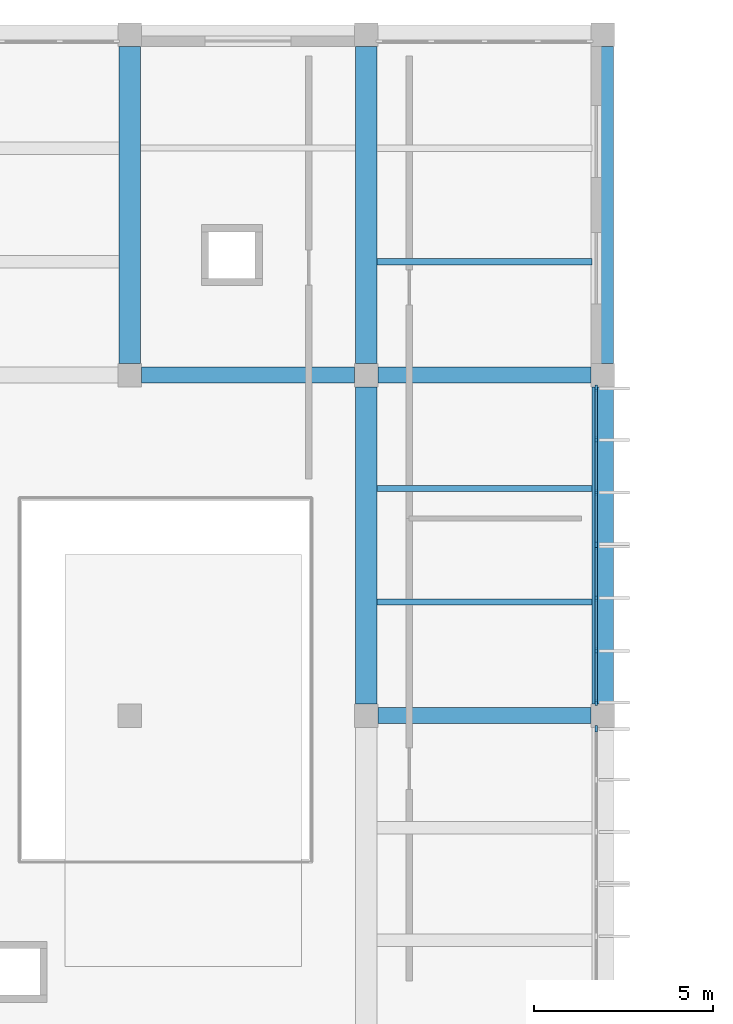
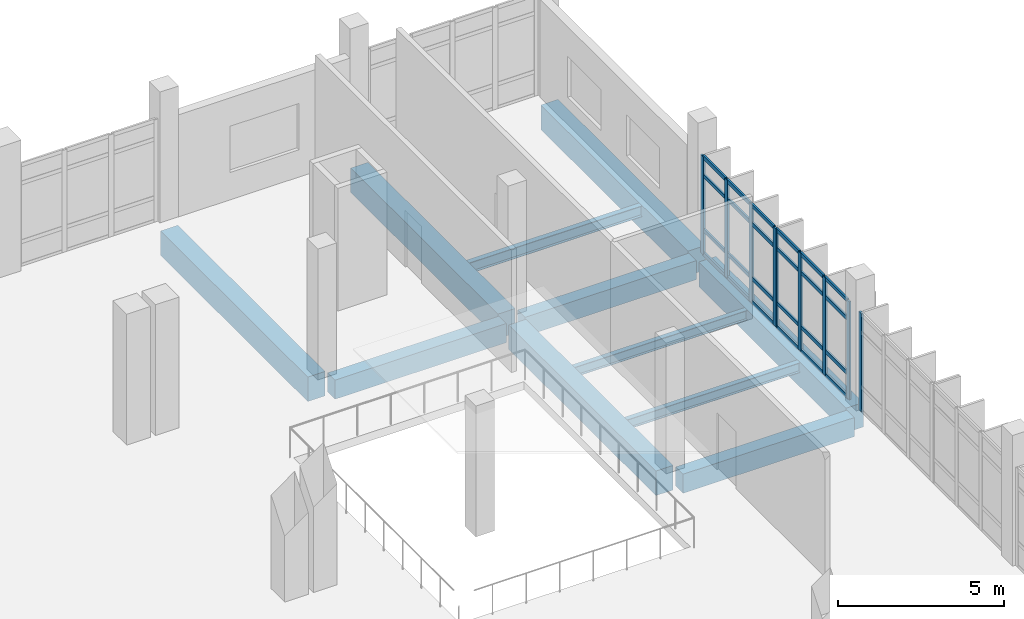
# One storey, part 40 of 90: 33 members, 11 beams, 3 elements without a shape of their own.
"""IFC4 building model written with IfcOpenShell, lengths in metres."""

from ifc_helpers import new_model, si_unit, direction, frame, origin, origin_2d, place, context, subcontext, project, spatial, rectangle, i_section, extrude, material, layer, layer_set, material_profile, profile_set, type_object, element, aggregate, save


model = new_model("IFC4")

# Units and contexts
model_context = context("Model", 3, precision=1e-05, world=origin(), true_north=direction((0.0, 1.0)))
body_context = subcontext(model_context, "Body", "Model", "MODEL_VIEW")
ifc_project = project(units=[si_unit("LENGTHUNIT", "METRE"), si_unit("AREAUNIT", "SQUARE_METRE"), si_unit("VOLUMEUNIT", "CUBIC_METRE"), si_unit("PLANEANGLEUNIT", "RADIAN"), si_unit("MASSUNIT", "GRAM", prefix="KILO")], contexts=[model_context])

# Site, building, storey
site_placement = place(None, origin())
site = spatial("IfcSite", under=ifc_project, at=site_placement, CompositionType="ELEMENT")
building_placement = place(site_placement, origin())
building = spatial("IfcBuilding", under=site, at=building_placement, Name="Kelarvand Opera House", CompositionType="ELEMENT")
storey_placement = place(building_placement, frame((0.0, 0.0, 5.39990234375)))
storey = spatial("IfcBuildingStorey", under=building, at=storey_placement, Name="L01", CompositionType="ELEMENT", Elevation=5.39990234375)

# Curtain wall, members
ifc_material_1 = material(Name="Thermally broken aluminium and low-E glazing", Category="aluminium")
ifc_layer_1 = layer(ifc_material_1, 0.179931640625, Name="Thermally broken aluminium and low-E glazing", Category="aluminium")
ifc_layer_set_1 = layer_set([ifc_layer_1], Name="Thermally broken aluminium and low-E glazing")
curtain_wall_type_1 = type_object("IfcCurtainWallType", Name="Unitised Low-E Curtain Wall 4411x3600 Mod 1450 CWF-41", PredefinedType="USERDEFINED", material=ifc_layer_set_1)
curtain_wall_1_placement = place(storey_placement, origin())
curtain_wall_1 = element("IfcCurtainWall", 1, at=curtain_wall_1_placement, inside=storey, type_object=curtain_wall_type_1, Name="V5 L01 Curtain Wall CWF-41 (174)", ObjectType="UNITISED CURTAIN WALL", PredefinedType="USERDEFINED")
ifc_material_2 = material(Name="Thermally broken anodised aluminium", Category="aluminium")
ifc_material_profile_1 = material_profile(ifc_material_2, rectangle(XDim=0.06494140625, YDim=0.179931640625, at=origin_2d()), Name="ALU MULLION 65x180", Category="aluminium")
ifc_profile_set_1 = profile_set([ifc_material_profile_1], Name="Thermally broken anodised aluminium")
member_type_1 = type_object("IfcMemberType", Name="Curtain Wall Mullion 65x180 Aluminium", PredefinedType="MULLION", material=ifc_profile_set_1)
member_1_placement = place(storey_placement, frame((135.02001953125, 115.132568359375, 0.0), z_axis=(0.0, 0.0, 1.0), x_axis=(1.0, 0.0, 0.0)))
member_1 = element("IfcMember", 2, at=member_1_placement, type_object=member_type_1, Name="CWF-41 mullion 1", PredefinedType="MULLION", context=body_context, shape_type="SweptSolid", body=[
    extrude(rectangle(XDim=0.06494140625, YDim=0.179931640625, at=origin_2d()), origin(), (0.0, 0.0, 1.0), 3.60009765625),
])
member_2_placement = place(storey_placement, frame((135.02001953125, 113.694580078125, 0.0), z_axis=(0.0, 0.0, 1.0), x_axis=(1.0, 0.0, 0.0)))
member_2 = element("IfcMember", 3, at=member_2_placement, type_object=member_type_1, Name="CWF-41 mullion 2", PredefinedType="MULLION", context=body_context, shape_type="SweptSolid", body=[
    extrude(rectangle(XDim=0.06494140625, YDim=0.179931640625, at=origin_2d()), origin(), (0.0, 0.0, 1.0), 3.60009765625),
])
member_3_placement = place(storey_placement, frame((135.02001953125, 112.224365234375, 0.0), z_axis=(0.0, 0.0, 1.0), x_axis=(1.0, 0.0, 0.0)))
member_3 = element("IfcMember", 4, at=member_3_placement, type_object=member_type_1, Name="CWF-41 mullion 3", PredefinedType="MULLION", context=body_context, shape_type="SweptSolid", body=[
    extrude(rectangle(XDim=0.06494140625, YDim=0.179931640625, at=origin_2d()), origin(), (0.0, 0.0, 1.0), 3.60009765625),
])
member_4_placement = place(storey_placement, frame((135.02001953125, 110.78662109375, 0.0), z_axis=(0.0, 0.0, 1.0), x_axis=(1.0, 0.0, 0.0)))
member_4 = element("IfcMember", 5, at=member_4_placement, type_object=member_type_1, Name="CWF-41 mullion 4", PredefinedType="MULLION", context=body_context, shape_type="SweptSolid", body=[
    extrude(rectangle(XDim=0.06494140625, YDim=0.179931640625, at=origin_2d()), origin(), (0.0, 0.0, 1.0), 3.60009765625),
])

curtain_wall_2_placement = place(storey_placement, origin())
curtain_wall_2 = element("IfcCurtainWall", 6, at=curtain_wall_2_placement, inside=storey, type_object=curtain_wall_type_1, Name="V5 L01 Curtain Wall CWF-41 (175)", ObjectType="UNITISED CURTAIN WALL", PredefinedType="USERDEFINED")
member_5_placement = place(storey_placement, frame((135.02001953125, 110.717529296875, 0.0), z_axis=(0.0, 0.0, 1.0), x_axis=(1.0, 0.0, 0.0)))
member_5 = element("IfcMember", 7, at=member_5_placement, type_object=member_type_1, Name="CWF-41 mullion 1", PredefinedType="MULLION", context=body_context, shape_type="SweptSolid", body=[
    extrude(rectangle(XDim=0.06494140625, YDim=0.179931640625, at=origin_2d()), origin(), (0.0, 0.0, 1.0), 3.60009765625),
])
member_6_placement = place(storey_placement, frame((135.02001953125, 109.2783203125, 0.0), z_axis=(0.0, 0.0, 1.0), x_axis=(1.0, 0.0, 0.0)))
member_6 = element("IfcMember", 8, at=member_6_placement, type_object=member_type_1, Name="CWF-41 mullion 2", PredefinedType="MULLION", context=body_context, shape_type="SweptSolid", body=[
    extrude(rectangle(XDim=0.06494140625, YDim=0.179931640625, at=origin_2d()), origin(), (0.0, 0.0, 1.0), 3.60009765625),
])
member_7_placement = place(storey_placement, frame((135.02001953125, 107.806640625, 0.0), z_axis=(0.0, 0.0, 1.0), x_axis=(1.0, 0.0, 0.0)))
member_7 = element("IfcMember", 9, at=member_7_placement, type_object=member_type_1, Name="CWF-41 mullion 3", PredefinedType="MULLION", context=body_context, shape_type="SweptSolid", body=[
    extrude(rectangle(XDim=0.06494140625, YDim=0.179931640625, at=origin_2d()), origin(), (0.0, 0.0, 1.0), 3.60009765625),
])
member_8_placement = place(storey_placement, frame((135.02001953125, 106.367431640625, 0.0), z_axis=(0.0, 0.0, 1.0), x_axis=(1.0, 0.0, 0.0)))
member_8 = element("IfcMember", 10, at=member_8_placement, type_object=member_type_1, Name="CWF-41 mullion 4", PredefinedType="MULLION", context=body_context, shape_type="SweptSolid", body=[
    extrude(rectangle(XDim=0.06494140625, YDim=0.179931640625, at=origin_2d()), origin(), (0.0, 0.0, 1.0), 3.60009765625),
])

# Curtain wall, member
ifc_layer_2 = layer(ifc_material_1, 0.179931640625, Name="Thermally broken aluminium and low-E glazing", Category="aluminium")
ifc_layer_set_2 = layer_set([ifc_layer_2], Name="Thermally broken aluminium and low-E glazing")
curtain_wall_type_2 = type_object("IfcCurtainWallType", Name="Unitised Low-E Curtain Wall 4361x3600 Mod 1450 CWF-42", PredefinedType="USERDEFINED", material=ifc_layer_set_2)
curtain_wall_3_placement = place(storey_placement, origin())
curtain_wall_3 = element("IfcCurtainWall", 11, at=curtain_wall_3_placement, inside=storey, type_object=curtain_wall_type_2, Name="V5 L01 Curtain Wall CWF-42 (176)", ObjectType="UNITISED CURTAIN WALL", PredefinedType="USERDEFINED")
member_9_placement = place(storey_placement, frame((135.02001953125, 105.632568359375, 0.0), z_axis=(0.0, 0.0, 1.0), x_axis=(1.0, 0.0, 0.0)))
member_9 = element("IfcMember", 12, at=member_9_placement, type_object=member_type_1, Name="CWF-42 mullion 1", PredefinedType="MULLION", context=body_context, shape_type="SweptSolid", body=[
    extrude(rectangle(XDim=0.06494140625, YDim=0.179931640625, at=origin_2d()), origin(), (0.0, 0.0, 1.0), 3.60009765625),
])
aggregate(curtain_wall_3, [member_9])

# Member
ifc_material_profile_2 = material_profile(ifc_material_2, rectangle(XDim=0.06494140625, YDim=0.139892578125, at=origin_2d()), Name="ALU TRANSOM 65x140", Category="aluminium")
ifc_profile_set_2 = profile_set([ifc_material_profile_2], Name="Thermally broken anodised aluminium")
member_type_2 = type_object("IfcMemberType", Name="Curtain Wall Transom 65x140 Aluminium", PredefinedType="USERDEFINED", material=ifc_profile_set_2)
member_10_placement = place(storey_placement, frame((135.02001953125, 115.10009765625, 0.03271484375), z_axis=(0.0, -1.0, 0.0), x_axis=(1.0, 0.0, 0.0)))
member_10 = element("IfcMember", 13, at=member_10_placement, type_object=member_type_2, Name="CWF-41 transom 1.1", ObjectType="TRANSOM", PredefinedType="USERDEFINED", context=body_context, shape_type="SweptSolid", body=[
    extrude(rectangle(XDim=0.06494140625, YDim=0.139892578125, at=origin_2d()), origin(), (0.0, 0.0, 1.0), 1.373046875),
])

member_11_placement = place(storey_placement, frame((135.02001953125, 115.10009765625, 0.900146484375), z_axis=(0.0, -1.0, 0.0), x_axis=(1.0, 0.0, 0.0)))
member_11 = element("IfcMember", 14, at=member_11_placement, type_object=member_type_2, Name="CWF-41 transom 1.2", ObjectType="TRANSOM", PredefinedType="USERDEFINED", context=body_context, shape_type="SweptSolid", body=[
    extrude(rectangle(XDim=0.06494140625, YDim=0.139892578125, at=origin_2d()), origin(), (0.0, 0.0, 1.0), 1.373046875),
])

member_12_placement = place(storey_placement, frame((135.02001953125, 115.10009765625, 2.900146484375), z_axis=(0.0, -1.0, 0.0), x_axis=(1.0, 0.0, 0.0)))
member_12 = element("IfcMember", 15, at=member_12_placement, type_object=member_type_2, Name="CWF-41 transom 1.3", ObjectType="TRANSOM", PredefinedType="USERDEFINED", context=body_context, shape_type="SweptSolid", body=[
    extrude(rectangle(XDim=0.06494140625, YDim=0.139892578125, at=origin_2d()), origin(), (0.0, 0.0, 1.0), 1.373046875),
])

member_13_placement = place(storey_placement, frame((135.02001953125, 115.10009765625, 3.567626953125), z_axis=(0.0, -1.0, 0.0), x_axis=(1.0, 0.0, 0.0)))
member_13 = element("IfcMember", 16, at=member_13_placement, type_object=member_type_2, Name="CWF-41 transom 1.4", ObjectType="TRANSOM", PredefinedType="USERDEFINED", context=body_context, shape_type="SweptSolid", body=[
    extrude(rectangle(XDim=0.06494140625, YDim=0.139892578125, at=origin_2d()), origin(), (0.0, 0.0, 1.0), 1.373046875),
])

member_14_placement = place(storey_placement, frame((135.02001953125, 113.662109375, 0.03271484375), z_axis=(0.0, -1.0, 0.0), x_axis=(1.0, 0.0, 0.0)))
member_14 = element("IfcMember", 17, at=member_14_placement, type_object=member_type_2, Name="CWF-41 transom 2.1", ObjectType="TRANSOM", PredefinedType="USERDEFINED", context=body_context, shape_type="SweptSolid", body=[
    extrude(rectangle(XDim=0.06494140625, YDim=0.139892578125, at=origin_2d()), origin(), (0.0, 0.0, 1.0), 1.4052734375),
])

member_15_placement = place(storey_placement, frame((135.02001953125, 113.662109375, 0.900146484375), z_axis=(0.0, -1.0, 0.0), x_axis=(1.0, 0.0, 0.0)))
member_15 = element("IfcMember", 18, at=member_15_placement, type_object=member_type_2, Name="CWF-41 transom 2.2", ObjectType="TRANSOM", PredefinedType="USERDEFINED", context=body_context, shape_type="SweptSolid", body=[
    extrude(rectangle(XDim=0.06494140625, YDim=0.139892578125, at=origin_2d()), origin(), (0.0, 0.0, 1.0), 1.4052734375),
])

member_16_placement = place(storey_placement, frame((135.02001953125, 113.662109375, 2.900146484375), z_axis=(0.0, -1.0, 0.0), x_axis=(1.0, 0.0, 0.0)))
member_16 = element("IfcMember", 19, at=member_16_placement, type_object=member_type_2, Name="CWF-41 transom 2.3", ObjectType="TRANSOM", PredefinedType="USERDEFINED", context=body_context, shape_type="SweptSolid", body=[
    extrude(rectangle(XDim=0.06494140625, YDim=0.139892578125, at=origin_2d()), origin(), (0.0, 0.0, 1.0), 1.4052734375),
])

member_17_placement = place(storey_placement, frame((135.02001953125, 113.662109375, 3.567626953125), z_axis=(0.0, -1.0, 0.0), x_axis=(1.0, 0.0, 0.0)))
member_17 = element("IfcMember", 20, at=member_17_placement, type_object=member_type_2, Name="CWF-41 transom 2.4", ObjectType="TRANSOM", PredefinedType="USERDEFINED", context=body_context, shape_type="SweptSolid", body=[
    extrude(rectangle(XDim=0.06494140625, YDim=0.139892578125, at=origin_2d()), origin(), (0.0, 0.0, 1.0), 1.4052734375),
])

member_18_placement = place(storey_placement, frame((135.02001953125, 112.19189453125, 0.03271484375), z_axis=(0.0, -1.0, 0.0), x_axis=(1.0, 0.0, 0.0)))
member_18 = element("IfcMember", 21, at=member_18_placement, type_object=member_type_2, Name="CWF-41 transom 3.1", ObjectType="TRANSOM", PredefinedType="USERDEFINED", context=body_context, shape_type="SweptSolid", body=[
    extrude(rectangle(XDim=0.06494140625, YDim=0.139892578125, at=origin_2d()), origin(), (0.0, 0.0, 1.0), 1.372802734375),
])

member_19_placement = place(storey_placement, frame((135.02001953125, 112.19189453125, 0.900146484375), z_axis=(0.0, -1.0, 0.0), x_axis=(1.0, 0.0, 0.0)))
member_19 = element("IfcMember", 22, at=member_19_placement, type_object=member_type_2, Name="CWF-41 transom 3.2", ObjectType="TRANSOM", PredefinedType="USERDEFINED", context=body_context, shape_type="SweptSolid", body=[
    extrude(rectangle(XDim=0.06494140625, YDim=0.139892578125, at=origin_2d()), origin(), (0.0, 0.0, 1.0), 1.372802734375),
])

member_20_placement = place(storey_placement, frame((135.02001953125, 112.19189453125, 2.900146484375), z_axis=(0.0, -1.0, 0.0), x_axis=(1.0, 0.0, 0.0)))
member_20 = element("IfcMember", 23, at=member_20_placement, type_object=member_type_2, Name="CWF-41 transom 3.3", ObjectType="TRANSOM", PredefinedType="USERDEFINED", context=body_context, shape_type="SweptSolid", body=[
    extrude(rectangle(XDim=0.06494140625, YDim=0.139892578125, at=origin_2d()), origin(), (0.0, 0.0, 1.0), 1.372802734375),
])

member_21_placement = place(storey_placement, frame((135.02001953125, 112.19189453125, 3.567626953125), z_axis=(0.0, -1.0, 0.0), x_axis=(1.0, 0.0, 0.0)))
member_21 = element("IfcMember", 24, at=member_21_placement, type_object=member_type_2, Name="CWF-41 transom 3.4", ObjectType="TRANSOM", PredefinedType="USERDEFINED", context=body_context, shape_type="SweptSolid", body=[
    extrude(rectangle(XDim=0.06494140625, YDim=0.139892578125, at=origin_2d()), origin(), (0.0, 0.0, 1.0), 1.372802734375),
])

aggregate(curtain_wall_1, [member_1, member_2, member_3, member_4, member_10, member_11, member_12, member_13, member_14, member_15, member_16, member_17, member_18, member_19, member_20, member_21])

member_22_placement = place(storey_placement, frame((135.02001953125, 110.68505859375, 0.03271484375), z_axis=(0.0, -1.0, 0.0), x_axis=(1.0, 0.0, 0.0)))
member_22 = element("IfcMember", 25, at=member_22_placement, type_object=member_type_2, Name="CWF-41 transom 1.1", ObjectType="TRANSOM", PredefinedType="USERDEFINED", context=body_context, shape_type="SweptSolid", body=[
    extrude(rectangle(XDim=0.06494140625, YDim=0.139892578125, at=origin_2d()), origin(), (0.0, 0.0, 1.0), 1.374267578125),
])

member_23_placement = place(storey_placement, frame((135.02001953125, 110.68505859375, 0.900146484375), z_axis=(0.0, -1.0, 0.0), x_axis=(1.0, 0.0, 0.0)))
member_23 = element("IfcMember", 26, at=member_23_placement, type_object=member_type_2, Name="CWF-41 transom 1.2", ObjectType="TRANSOM", PredefinedType="USERDEFINED", context=body_context, shape_type="SweptSolid", body=[
    extrude(rectangle(XDim=0.06494140625, YDim=0.139892578125, at=origin_2d()), origin(), (0.0, 0.0, 1.0), 1.374267578125),
])

member_24_placement = place(storey_placement, frame((135.02001953125, 110.68505859375, 2.900146484375), z_axis=(0.0, -1.0, 0.0), x_axis=(1.0, 0.0, 0.0)))
member_24 = element("IfcMember", 27, at=member_24_placement, type_object=member_type_2, Name="CWF-41 transom 1.3", ObjectType="TRANSOM", PredefinedType="USERDEFINED", context=body_context, shape_type="SweptSolid", body=[
    extrude(rectangle(XDim=0.06494140625, YDim=0.139892578125, at=origin_2d()), origin(), (0.0, 0.0, 1.0), 1.374267578125),
])

member_25_placement = place(storey_placement, frame((135.02001953125, 110.68505859375, 3.567626953125), z_axis=(0.0, -1.0, 0.0), x_axis=(1.0, 0.0, 0.0)))
member_25 = element("IfcMember", 28, at=member_25_placement, type_object=member_type_2, Name="CWF-41 transom 1.4", ObjectType="TRANSOM", PredefinedType="USERDEFINED", context=body_context, shape_type="SweptSolid", body=[
    extrude(rectangle(XDim=0.06494140625, YDim=0.139892578125, at=origin_2d()), origin(), (0.0, 0.0, 1.0), 1.374267578125),
])

member_26_placement = place(storey_placement, frame((135.02001953125, 109.245849609375, 0.03271484375), z_axis=(0.0, -1.0, 0.0), x_axis=(1.0, 0.0, 0.0)))
member_26 = element("IfcMember", 29, at=member_26_placement, type_object=member_type_2, Name="CWF-41 transom 2.1", ObjectType="TRANSOM", PredefinedType="USERDEFINED", context=body_context, shape_type="SweptSolid", body=[
    extrude(rectangle(XDim=0.06494140625, YDim=0.139892578125, at=origin_2d()), origin(), (0.0, 0.0, 1.0), 1.40673828125),
])

member_27_placement = place(storey_placement, frame((135.02001953125, 109.245849609375, 0.900146484375), z_axis=(0.0, -1.0, 0.0), x_axis=(1.0, 0.0, 0.0)))
member_27 = element("IfcMember", 30, at=member_27_placement, type_object=member_type_2, Name="CWF-41 transom 2.2", ObjectType="TRANSOM", PredefinedType="USERDEFINED", context=body_context, shape_type="SweptSolid", body=[
    extrude(rectangle(XDim=0.06494140625, YDim=0.139892578125, at=origin_2d()), origin(), (0.0, 0.0, 1.0), 1.40673828125),
])

member_28_placement = place(storey_placement, frame((135.02001953125, 109.245849609375, 2.900146484375), z_axis=(0.0, -1.0, 0.0), x_axis=(1.0, 0.0, 0.0)))
member_28 = element("IfcMember", 31, at=member_28_placement, type_object=member_type_2, Name="CWF-41 transom 2.3", ObjectType="TRANSOM", PredefinedType="USERDEFINED", context=body_context, shape_type="SweptSolid", body=[
    extrude(rectangle(XDim=0.06494140625, YDim=0.139892578125, at=origin_2d()), origin(), (0.0, 0.0, 1.0), 1.40673828125),
])

member_29_placement = place(storey_placement, frame((135.02001953125, 109.245849609375, 3.567626953125), z_axis=(0.0, -1.0, 0.0), x_axis=(1.0, 0.0, 0.0)))
member_29 = element("IfcMember", 32, at=member_29_placement, type_object=member_type_2, Name="CWF-41 transom 2.4", ObjectType="TRANSOM", PredefinedType="USERDEFINED", context=body_context, shape_type="SweptSolid", body=[
    extrude(rectangle(XDim=0.06494140625, YDim=0.139892578125, at=origin_2d()), origin(), (0.0, 0.0, 1.0), 1.40673828125),
])

member_30_placement = place(storey_placement, frame((135.02001953125, 107.774169921875, 0.03271484375), z_axis=(0.0, -1.0, 0.0), x_axis=(1.0, 0.0, 0.0)))
member_30 = element("IfcMember", 33, at=member_30_placement, type_object=member_type_2, Name="CWF-41 transom 3.1", ObjectType="TRANSOM", PredefinedType="USERDEFINED", context=body_context, shape_type="SweptSolid", body=[
    extrude(rectangle(XDim=0.06494140625, YDim=0.139892578125, at=origin_2d()), origin(), (0.0, 0.0, 1.0), 1.374267578125),
])

member_31_placement = place(storey_placement, frame((135.02001953125, 107.774169921875, 0.900146484375), z_axis=(0.0, -1.0, 0.0), x_axis=(1.0, 0.0, 0.0)))
member_31 = element("IfcMember", 34, at=member_31_placement, type_object=member_type_2, Name="CWF-41 transom 3.2", ObjectType="TRANSOM", PredefinedType="USERDEFINED", context=body_context, shape_type="SweptSolid", body=[
    extrude(rectangle(XDim=0.06494140625, YDim=0.139892578125, at=origin_2d()), origin(), (0.0, 0.0, 1.0), 1.374267578125),
])

member_32_placement = place(storey_placement, frame((135.02001953125, 107.774169921875, 2.900146484375), z_axis=(0.0, -1.0, 0.0), x_axis=(1.0, 0.0, 0.0)))
member_32 = element("IfcMember", 35, at=member_32_placement, type_object=member_type_2, Name="CWF-41 transom 3.3", ObjectType="TRANSOM", PredefinedType="USERDEFINED", context=body_context, shape_type="SweptSolid", body=[
    extrude(rectangle(XDim=0.06494140625, YDim=0.139892578125, at=origin_2d()), origin(), (0.0, 0.0, 1.0), 1.374267578125),
])

member_33_placement = place(storey_placement, frame((135.02001953125, 107.774169921875, 3.567626953125), z_axis=(0.0, -1.0, 0.0), x_axis=(1.0, 0.0, 0.0)))
member_33 = element("IfcMember", 36, at=member_33_placement, type_object=member_type_2, Name="CWF-41 transom 3.4", ObjectType="TRANSOM", PredefinedType="USERDEFINED", context=body_context, shape_type="SweptSolid", body=[
    extrude(rectangle(XDim=0.06494140625, YDim=0.139892578125, at=origin_2d()), origin(), (0.0, 0.0, 1.0), 1.374267578125),
])

aggregate(curtain_wall_2, [member_5, member_6, member_7, member_8, member_22, member_23, member_24, member_25, member_26, member_27, member_28, member_29, member_30, member_31, member_32, member_33])

# Beams
ifc_material_3 = material(Name="Concrete C40/50", Category="concrete")
ifc_material_profile_3 = material_profile(ifc_material_3, rectangle(XDim=0.449951171875, YDim=0.699951171875, at=origin_2d()), Name="RC 450x700", Category="concrete")
ifc_profile_set_3 = profile_set([ifc_material_profile_3], Name="Concrete C40/50")
beam_type_1 = type_object("IfcBeamType", Name="Structural Beam RC 450x700 BM-RC450x700", PredefinedType="BEAM", material=ifc_profile_set_3)
for number, where, z_axis, x_axis, name in (
    (37, (128.925048828125, 106.0, -0.64990234375), (1.0, 0.0, 0.0), (0.0, 1.0, 0.0), "V5 L01 Beam BM-RC450x700"),
    (38, (122.324951171875, 115.5, -0.64990234375), (1.0, 0.0, 0.0), (0.0, 1.0, 0.0), "V5 L01 Beam BM-RC450x700"),
    (39, (128.925048828125, 115.5, -0.64990234375), (1.0, 0.0, 0.0), (0.0, 1.0, 0.0), "V5 L01 Beam BM-RC450x700"),
):
    element("IfcBeam", number, at=place(storey_placement, frame(where, z_axis=z_axis, x_axis=x_axis)), inside=storey, type_object=beam_type_1, Name=name, PredefinedType="BEAM", context=body_context, shape_type="SweptSolid", body=[
        extrude(rectangle(XDim=0.449951171875, YDim=0.699951171875, at=origin_2d()), origin(), (0.0, 0.0, 1.0), 5.949951171875),
    ])
ifc_material_profile_4 = material_profile(ifc_material_3, rectangle(XDim=0.60009765625, YDim=0.89990234375, at=origin_2d()), Name="RC 600x900", Category="concrete")
ifc_profile_set_4 = profile_set([ifc_material_profile_4], Name="Concrete C40/50")
beam_type_2 = type_object("IfcBeamType", Name="Structural Beam RC 600x900 BM-RC600x900", PredefinedType="BEAM", material=ifc_profile_set_4)
for number, where, z_axis, x_axis, name in (
    (40, (122.0, 115.824951171875, -0.75), (0.0, 1.0, 0.0), (-1.0, 0.0, 0.0), "V5 L01 Beam BM-RC600x900"),
    (41, (128.60009765625, 106.324951171875, -0.75), (0.0, 1.0, 0.0), (-1.0, 0.0, 0.0), "V5 L01 Beam BM-RC600x900"),
    (42, (128.60009765625, 115.824951171875, -0.75), (0.0, 1.0, 0.0), (-1.0, 0.0, 0.0), "V5 L01 Beam BM-RC600x900"),
):
    element("IfcBeam", number, at=place(storey_placement, frame(where, z_axis=z_axis, x_axis=x_axis)), inside=storey, type_object=beam_type_2, Name=name, PredefinedType="BEAM", context=body_context, shape_type="SweptSolid", body=[
        extrude(rectangle(XDim=0.60009765625, YDim=0.89990234375, at=origin_2d()), origin(), (0.0, 0.0, 1.0), 8.85009765625),
    ])
ifc_material_4 = material(Name="Steel S355", Category="steel")
ifc_material_profile_5 = material_profile(ifc_material_4, i_section(OverallWidth=0.169921875, OverallDepth=0.360107421875, WebThickness=0.008056640625, FlangeThickness=0.0126953125, at=origin_2d()), Name="IPE 360", Category="steel")
ifc_profile_set_5 = profile_set([ifc_material_profile_5], Name="Steel S355")
beam_type_3 = type_object("IfcBeamType", Name="Structural Joist IPE 360 JS-IPE360", PredefinedType="JOIST", material=ifc_profile_set_5)
for number, where, z_axis, x_axis, name in (
    (43, (128.89990234375, 109.166748046875, -0.47998046875), (1.0, 0.0, 0.0), (0.0, 1.0, 0.0), "V5 L01 Beam JS-IPE360"),
    (44, (128.89990234375, 112.333251953125, -0.47998046875), (1.0, 0.0, 0.0), (0.0, 1.0, 0.0), "V5 L01 Beam JS-IPE360"),
):
    element("IfcBeam", number, at=place(storey_placement, frame(where, z_axis=z_axis, x_axis=x_axis)), inside=storey, type_object=beam_type_3, Name=name, PredefinedType="JOIST", context=body_context, shape_type="SweptSolid", body=[
        extrude(i_section(OverallWidth=0.169921875, OverallDepth=0.360107421875, WebThickness=0.008056640625, FlangeThickness=0.0126953125, at=origin_2d()), origin(), (0.0, 0.0, 1.0), 6.0),
    ])
ifc_material_profile_6 = material_profile(ifc_material_4, i_section(OverallWidth=0.179931640625, OverallDepth=0.39990234375, WebThickness=0.008544921875, FlangeThickness=0.013427734375, at=origin_2d()), Name="IPE 400", Category="steel")
ifc_profile_set_6 = profile_set([ifc_material_profile_6], Name="Steel S355")
beam_type_4 = type_object("IfcBeamType", Name="Structural Joist IPE 400 JS-IPE400", PredefinedType="JOIST", material=ifc_profile_set_6)
beam_placement = place(storey_placement, frame((128.89990234375, 118.666748046875, -0.5), z_axis=(1.0, 0.0, 0.0), x_axis=(0.0, 1.0, 0.0)))
element("IfcBeam", 45, at=beam_placement, inside=storey, type_object=beam_type_4, Name="V5 L01 Beam JS-IPE400", PredefinedType="JOIST", context=body_context, shape_type="SweptSolid", body=[
    extrude(i_section(OverallWidth=0.179931640625, OverallDepth=0.39990234375, WebThickness=0.008544921875, FlangeThickness=0.013427734375, at=origin_2d()), origin(), (0.0, 0.0, 1.0), 6.0),
])
ifc_material_profile_7 = material_profile(ifc_material_3, rectangle(XDim=0.60009765625, YDim=0.89990234375, at=origin_2d()), Name="RC 600x900", Category="concrete")
ifc_profile_set_7 = profile_set([ifc_material_profile_7], Name="Concrete C40/50")
beam_type_5 = type_object("IfcBeamType", Name="Structural Spandrel RC 600x900 SP-RC600x900E", PredefinedType="SPANDREL", material=ifc_profile_set_7)
for number, where, z_axis, x_axis, name in (
    (46, (135.199951171875, 106.324951171875, -0.75), (0.0, 1.0, 0.0), (-1.0, 0.0, 0.0), "V5 L01 Beam SP-RC600x900E"),
    (47, (135.199951171875, 115.824951171875, -0.75), (0.0, 1.0, 0.0), (-1.0, 0.0, 0.0), "V5 L01 Beam SP-RC600x900E"),
):
    element("IfcBeam", number, at=place(storey_placement, frame(where, z_axis=z_axis, x_axis=x_axis)), inside=storey, type_object=beam_type_5, Name=name, PredefinedType="SPANDREL", context=body_context, shape_type="SweptSolid", body=[
        extrude(rectangle(XDim=0.60009765625, YDim=0.89990234375, at=origin_2d()), origin(), (0.0, 0.0, 1.0), 8.85009765625),
    ])

save(model, "model.ifc")
